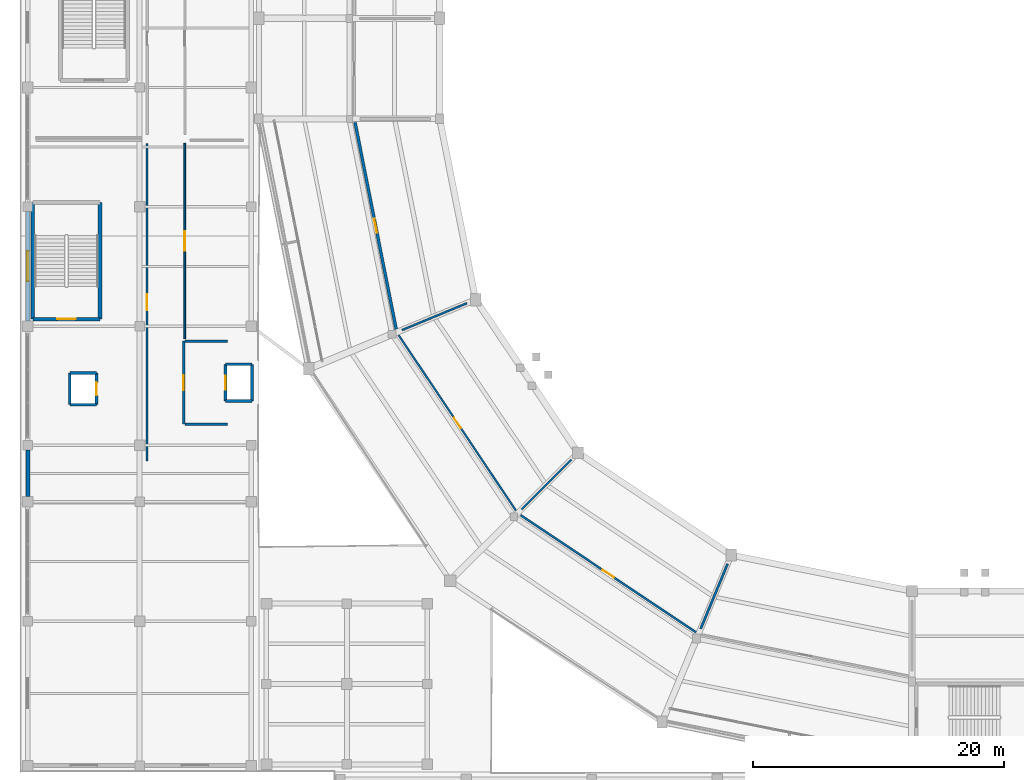
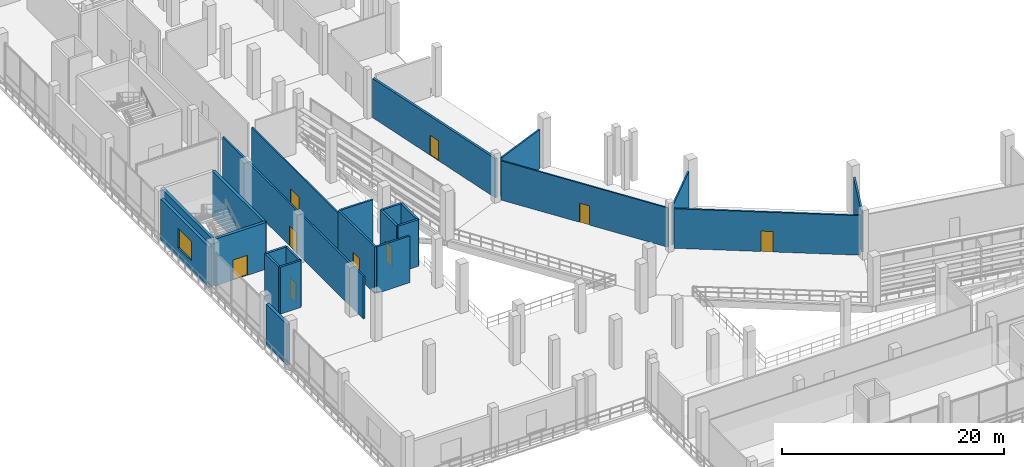
# One storey, part 71 of 114: 24 walls, 9 doors, 1 window, 10 openings.
"""IFC4 building model written with IfcOpenShell, lengths in metres."""

from ifc_helpers import new_model, si_unit, direction, frame, frame_2d, origin, place, context, subcontext, project, spatial, rectangle, extrude, material, layer, layer_set, type_object, element, fill, save


model = new_model("IFC4")

# Units and contexts
model_context = context("Model", 3, precision=1e-05, world=origin(), true_north=direction((0.0, 1.0)))
body_context = subcontext(model_context, "Body", "Model", "MODEL_VIEW")
ifc_project = project(units=[si_unit("LENGTHUNIT", "METRE"), si_unit("AREAUNIT", "SQUARE_METRE"), si_unit("VOLUMEUNIT", "CUBIC_METRE"), si_unit("PLANEANGLEUNIT", "RADIAN"), si_unit("MASSUNIT", "GRAM", prefix="KILO")], contexts=[model_context])

# Site, building, storey
site_placement = place(None, origin())
site = spatial("IfcSite", under=ifc_project, at=site_placement, CompositionType="ELEMENT")
building_placement = place(site_placement, origin())
building = spatial("IfcBuilding", under=site, at=building_placement, Name="Candeia Ridge Stadium", CompositionType="ELEMENT")
storey_placement = place(building_placement, frame((0.0, 0.0, 5.39990234375)))
storey = spatial("IfcBuildingStorey", under=building, at=storey_placement, Name="L01", CompositionType="ELEMENT", Elevation=5.39990234375)

# Wall, opening, door
ifc_material_1 = material(Name="Gypsum Metal-Stud Partition", Category="gypsum")
ifc_layer_1 = layer(ifc_material_1, 0.14501953125, Name="Gypsum Metal-Stud Partition", Category="gypsum")
ifc_layer_set_1 = layer_set([ifc_layer_1], Name="Gypsum Metal-Stud Partition")
wall_type_1 = type_object("IfcWallType", Name="Athlete Recovery Partition 145", PredefinedType="PARTITIONING", material=ifc_layer_set_1)
wall_1_placement = place(storey_placement, frame((13.10009765625, 53.489990234375, 0.0), z_axis=(0.0, 0.0, 1.0), x_axis=(0.0, 1.0, 0.0)))
wall_1 = element("IfcWall", 1, at=wall_1_placement, inside=storey, type_object=wall_type_1, Name="Interior partition PT-L01-0180", PredefinedType="PARTITIONING", context=body_context, shape_type="SweptSolid", body=[
    extrude(rectangle(XDim=15.56005859375, YDim=0.14501953125, at=frame_2d((7.780029296875, 0.0))), origin(), (0.0, 0.0, 1.0), 4.668212890625),
])
opening_1_placement = place(wall_1_placement, frame((7.0048828125, 0.0, 0.0)))
opening_1 = element("IfcOpeningElement", 2, at=opening_1_placement, cuts=wall_1, Name="Opening ID14", PredefinedType="OPENING", context=body_context, shape_type="SweptSolid", body=[
    extrude(rectangle(XDim=1.550048828125, YDim=2.14990234375, at=frame_2d((0.77490234375, 1.074951171875))), frame((0.0, 0.08251953125, 0.0), z_axis=(0.0, -1.0, 0.0), x_axis=(1.0, 0.0, 0.0)), (0.0, 0.0, 1.0), 0.1650390625),
])
ifc_material_2 = material(Name="Brushed Stainless Steel", Category="steel")
door_type_1 = type_object("IfcDoorType", Name="Catering Kitchen Double Door 1550x2150", OperationType="NOTDEFINED", PredefinedType="DOOR", material=ifc_material_2)
door_1_placement = place(opening_1_placement, origin())
door_1 = element("IfcDoor", 3, at=door_1_placement, inside=storey, type_object=door_type_1, Name="Interior room door D-L01-0094", OperationType="DOUBLE_DOOR_SINGLE_SWING", OverallHeight=2.14990234375, OverallWidth=1.550048828125, PredefinedType="DOOR", context=body_context, shape_type="SweptSolid", body=[
    extrude(rectangle(XDim=1.550048828125, YDim=2.14990234375, at=frame_2d((0.77490234375, 1.074951171875))), frame((0.0, 0.02490234375, 0.0), z_axis=(0.0, -1.0, 0.0), x_axis=(1.0, 0.0, 0.0)), (0.0, 0.0, 1.0), 0.050048828125),
])
fill(opening_1, door_1)

wall_2_placement = place(storey_placement, frame((39.465576171875, 39.8125, 0.0), z_axis=(0.0, 0.0, 1.0), x_axis=(-0.555572701103, 0.831467963177, 0.0)))
wall_2 = element("IfcWall", 4, at=wall_2_placement, inside=storey, type_object=wall_type_1, Name="Interior partition PT-L01-0300", PredefinedType="PARTITIONING", context=body_context, shape_type="SweptSolid", body=[
    extrude(rectangle(XDim=16.782958984375, YDim=0.14501953125, at=frame_2d((8.3916015625, 0.0))), origin(), (0.0, 0.0, 1.0), 4.30517578125),
])
opening_2_placement = place(wall_2_placement, frame((7.8916015625, 0.0, 0.0)))
opening_2 = element("IfcOpeningElement", 5, at=opening_2_placement, cuts=wall_2, Name="Opening ID06", PredefinedType="OPENING", context=body_context, shape_type="SweptSolid", body=[
    extrude(rectangle(XDim=1.0, YDim=2.10009765625, at=frame_2d((0.5, 1.050048828125))), frame((0.0, 0.08251953125, 0.0), z_axis=(0.0, -1.0, 0.0), x_axis=(1.0, 0.0, 0.0)), (0.0, 0.0, 1.0), 0.1650390625),
])
ifc_material_3 = material(Name="Moisture-Resistant Laminate", Category="wood")
door_type_2 = type_object("IfcDoorType", Name="Accessible Sanitary Door 1000x2100", OperationType="NOTDEFINED", PredefinedType="DOOR", material=ifc_material_3)
door_2_placement = place(opening_2_placement, origin())
door_2 = element("IfcDoor", 6, at=door_2_placement, inside=storey, type_object=door_type_2, Name="Interior room door D-L01-0155", OperationType="SINGLE_SWING_LEFT", OverallHeight=2.10009765625, OverallWidth=1.0, PredefinedType="DOOR", context=body_context, shape_type="SweptSolid", body=[
    extrude(rectangle(XDim=1.0, YDim=2.10009765625, at=frame_2d((0.5, 1.050048828125))), frame((0.0, 0.02490234375, 0.0), z_axis=(0.0, -1.0, 0.0), x_axis=(1.0, 0.0, 0.0)), (0.0, 0.0, 1.0), 0.050048828125),
])
fill(opening_2, door_2)

# Walls
wall_3_placement = place(storey_placement, frame((43.882568359375, 43.882568359375, 0.0), z_axis=(0.0, 0.0, 1.0), x_axis=(-0.707106781187, -0.707106781187, 0.0)))
element("IfcWall", 7, at=wall_3_placement, inside=storey, type_object=wall_type_1, Name="Demising partition PT-L01-0301", PredefinedType="PARTITIONING", context=body_context, shape_type="SweptSolid", body=[
    extrude(rectangle(XDim=5.600341796875, YDim=0.14501953125, at=frame_2d((2.80029296875, 0.0))), origin(), (0.0, 0.0, 1.0), 4.34521484375),
])
ifc_material_4 = material(Name="Gypsum Acoustic Twin-Stud Assembly", Category="gypsum")
ifc_layer_2 = layer(ifc_material_4, 0.159912109375, Name="Gypsum Acoustic Twin-Stud Assembly", Category="gypsum")
ifc_layer_set_2 = layer_set([ifc_layer_2], Name="Gypsum Acoustic Twin-Stud Assembly")
wall_type_2 = type_object("IfcWallType", Name="Club Dining Acoustic Partition 160", PredefinedType="PARTITIONING", material=ifc_layer_set_2)
wall_4_placement = place(storey_placement, frame((35.5693359375, 56.32421875, 0.0), z_axis=(0.0, 0.0, 1.0), x_axis=(-0.923879745429, -0.382682918336, 0.0)))
element("IfcWall", 8, at=wall_4_placement, inside=storey, type_object=wall_type_2, Name="Demising partition PT-L01-0299", PredefinedType="PARTITIONING", context=body_context, shape_type="SweptSolid", body=[
    extrude(rectangle(XDim=5.60009765625, YDim=0.159912109375, at=frame_2d((2.800048828125, 0.0))), origin(), (0.0, 0.0, 1.0), 4.30517578125),
])
ifc_material_5 = material(Name="Concrete C45/55", Category="concrete")
ifc_layer_3 = layer(ifc_material_5, 0.300048828125, Name="Concrete C45/55", Category="concrete")
ifc_layer_set_3 = layer_set([ifc_layer_3], Name="Concrete C45/55")
wall_type_3 = type_object("IfcWallType", Name="Core Shear Wall Concrete 300", PredefinedType="SHEAR", material=ifc_layer_set_3)
for number, where, z_axis, x_axis, name in (
    (9, (6.349609375, 55.05029296875, 0.0), (0.0, 0.0, 1.0), (0.0, 1.0, 0.0), "Core C05 left shear wall L01"),
    (10, (1.00048828125, 64.349609375, 0.0), (0.0, 0.0, 1.0), (0.0, -1.0, 0.0), "Core C05 right shear wall L01"),
):
    element("IfcWall", number, at=place(storey_placement, frame(where, z_axis=z_axis, x_axis=x_axis)), inside=storey, type_object=wall_type_3, Name=name, PredefinedType="SHEAR", context=body_context, shape_type="SweptSolid", body=[
        extrude(rectangle(XDim=9.29931640625, YDim=0.300048828125, at=frame_2d((4.649658203125, 0.0))), origin(), (0.0, 0.0, 1.0), 5.14013671875),
    ])

# Wall, opening, door
wall_5_placement = place(storey_placement, frame((1.00048828125, 55.05029296875, 0.0), z_axis=(0.0, 0.0, 1.0), x_axis=(1.0, 0.0, 0.0)))
wall_5 = element("IfcWall", 11, at=wall_5_placement, inside=storey, type_object=wall_type_3, Name="Core C05 near shear wall L01", PredefinedType="SHEAR", context=body_context, shape_type="SweptSolid", body=[
    extrude(rectangle(XDim=5.34912109375, YDim=0.300048828125, at=frame_2d((2.674560546875, 0.0))), origin(), (0.0, 0.0, 1.0), 5.14013671875),
])
opening_3_placement = place(wall_5_placement, frame((1.924560546875, 0.0, 0.0)))
opening_3 = element("IfcOpeningElement", 12, at=opening_3_placement, cuts=wall_5, Name="Opening FD01", PredefinedType="OPENING", context=body_context, shape_type="SweptSolid", body=[
    extrude(rectangle(XDim=1.5, YDim=2.199951171875, at=frame_2d((0.75, 1.10009765625))), frame((0.0, 0.159912109375, 0.0), z_axis=(0.0, -1.0, 0.0), x_axis=(1.0, 0.0, 0.0)), (0.0, 0.0, 1.0), 0.320068359375),
])
ifc_material_6 = material(Name="Galvanized Fire-Rated Steel", Category="steel")
door_type_3 = type_object("IfcDoorType", Name="Exit Stair Core Fire Door 1500x2200", OperationType="NOTDEFINED", PredefinedType="DOOR", material=ifc_material_6)
door_3_placement = place(opening_3_placement, origin())
door_3 = element("IfcDoor", 13, at=door_3_placement, inside=storey, type_object=door_type_3, Name="Exit stair fire door SD-ST05-L01", OperationType="DOUBLE_DOOR_SINGLE_SWING", OverallHeight=2.199951171875, OverallWidth=1.5, PredefinedType="DOOR", context=body_context, shape_type="SweptSolid", body=[
    extrude(rectangle(XDim=1.5, YDim=2.199951171875, at=frame_2d((0.75, 1.10009765625))), frame((0.0, 0.02490234375, 0.0), z_axis=(0.0, -1.0, 0.0), x_axis=(1.0, 0.0, 0.0)), (0.0, 0.0, 1.0), 0.050048828125),
])
fill(opening_3, door_3)

ifc_material_7 = material(Name="Moisture-Resistant Masonry & Tile", Category="masonry")
ifc_layer_4 = layer(ifc_material_7, 0.22998046875, Name="Moisture-Resistant Masonry & Tile", Category="masonry")
ifc_layer_set_4 = layer_set([ifc_layer_4], Name="Moisture-Resistant Masonry & Tile")
wall_type_4 = type_object("IfcWallType", Name="Dressing Suite Wet-Wall Chase 230", PredefinedType="PLUMBINGWALL", material=ifc_layer_set_4)
wall_6_placement = place(storey_placement, frame((29.930908203125, 54.254150390625, 0.0), z_axis=(0.0, 0.0, 1.0), x_axis=(-0.195086564225, 0.980786027867, 0.0)))
wall_6 = element("IfcWall", 14, at=wall_6_placement, inside=storey, type_object=wall_type_4, Name="Interior partition PT-L01-0298", PredefinedType="PLUMBINGWALL", context=body_context, shape_type="SweptSolid", body=[
    extrude(rectangle(XDim=16.783203125, YDim=0.22998046875, at=frame_2d((8.3916015625, 0.0))), origin(), (0.0, 0.0, 1.0), 4.30517578125),
])
opening_4_placement = place(wall_6_placement, frame((7.816650390625, 0.0, 0.0)))
opening_4 = element("IfcOpeningElement", 15, at=opening_4_placement, cuts=wall_6, Name="Opening ID02", PredefinedType="OPENING", context=body_context, shape_type="SweptSolid", body=[
    extrude(rectangle(XDim=1.14990234375, YDim=2.199951171875, at=frame_2d((0.574951171875, 1.10009765625))), frame((0.0, 0.125, 0.0), z_axis=(0.0, -1.0, 0.0), x_axis=(1.0, 0.0, 0.0)), (0.0, 0.0, 1.0), 0.25),
])
ifc_material_8 = material(Name="Acoustic Timber Studio Leaf", Category="wood")
door_type_4 = type_object("IfcDoorType", Name="Broadcast & Press Studio Door 1150x2200", OperationType="NOTDEFINED", PredefinedType="DOOR", material=ifc_material_8)
door_4_placement = place(opening_4_placement, frame((1.14990234375, 0.0, 0.0), z_axis=(0.0, 0.0, 1.0), x_axis=(-1.0, 0.0, 0.0)))
door_4 = element("IfcDoor", 16, at=door_4_placement, inside=storey, type_object=door_type_4, Name="Interior room door D-L01-0154", OperationType="SINGLE_SWING_RIGHT", OverallHeight=2.199951171875, OverallWidth=1.14990234375, PredefinedType="DOOR", context=body_context, shape_type="SweptSolid", body=[
    extrude(rectangle(XDim=1.14990234375, YDim=2.199951171875, at=frame_2d((0.574951171875, 1.10009765625))), frame((0.0, 0.02490234375, 0.0), z_axis=(0.0, -1.0, 0.0), x_axis=(1.0, 0.0, 0.0)), (0.0, 0.0, 1.0), 0.050048828125),
])
fill(opening_4, door_4)

# Wall
ifc_material_9 = material(Name="Concrete C35/45", Category="concrete")
ifc_layer_5 = layer(ifc_material_9, 0.320068359375, Name="Concrete C35/45", Category="concrete")
ifc_layer_set_5 = layer_set([ifc_layer_5], Name="Concrete C35/45")
wall_type_5 = type_object("IfcWallType", Name="Exterior Cedar-Clad Insulated Wall 320", PredefinedType="SOLIDWALL", material=ifc_layer_set_5)
wall_7_placement = place(storey_placement, frame((0.60009765625, 40.9130859375, 0.0), z_axis=(0.0, 0.0, 1.0), x_axis=(0.0, 1.0, 0.0)))
element("IfcWall", 17, at=wall_7_placement, inside=storey, type_object=wall_type_5, Name="Exterior facade wall EW-L01-0064", PredefinedType="SOLIDWALL", context=body_context, shape_type="SweptSolid", body=[
    extrude(rectangle(XDim=3.723876953125, YDim=0.320068359375, at=frame_2d((1.86181640625, 0.0))), origin(), (0.0, 0.0, 1.0), 4.47509765625),
])

# Wall, opening, window
wall_8_placement = place(storey_placement, frame((0.60009765625, 54.9130859375, 0.0), z_axis=(0.0, 0.0, 1.0), x_axis=(0.0, 1.0, 0.0)))
wall_8 = element("IfcWall", 18, at=wall_8_placement, inside=storey, type_object=wall_type_5, Name="Exterior facade wall EW-L01-0065", PredefinedType="SOLIDWALL", context=body_context, shape_type="SweptSolid", body=[
    extrude(rectangle(XDim=8.723876953125, YDim=0.320068359375, at=frame_2d((4.36181640625, 0.0))), origin(), (0.0, 0.0, 1.0), 4.47509765625),
])
opening_5_placement = place(wall_8_placement, frame((3.162109375, 0.0, 1.050048828125)))
opening_5 = element("IfcOpeningElement", 19, at=opening_5_placement, cuts=wall_8, Name="Opening W03", PredefinedType="OPENING", context=body_context, shape_type="SweptSolid", body=[
    extrude(rectangle(XDim=2.39990234375, YDim=2.10009765625, at=frame_2d((1.199951171875, 1.050048828125))), frame((0.0, 0.169921875, 0.0), z_axis=(0.0, -1.0, 0.0), x_axis=(1.0, 0.0, 0.0)), (0.0, 0.0, 1.0), 0.340087890625),
])
ifc_material_10 = material(Name="Tempered Solar-Control Double Glazing", Category="glass")
window_type = type_object("IfcWindowType", Name="Hospitality Ribbon Window 2400x2100", PartitioningType="SINGLE_PANEL", PredefinedType="WINDOW", material=ifc_material_10)
window_placement = place(opening_5_placement, origin())
window = element("IfcWindow", 20, at=window_placement, inside=storey, type_object=window_type, Name="Exterior window WIN-L01-020", OverallHeight=2.10009765625, OverallWidth=2.39990234375, PartitioningType="SINGLE_PANEL", PredefinedType="WINDOW", context=body_context, shape_type="SweptSolid", body=[
    extrude(rectangle(XDim=2.39990234375, YDim=2.10009765625, at=frame_2d((1.199951171875, 1.050048828125))), frame((0.0, 0.030029296875, 0.0), z_axis=(0.0, -1.0, 0.0), x_axis=(1.0, 0.0, 0.0)), (0.0, 0.0, 1.0), 0.06005859375),
])
fill(opening_5, window)

# Walls
ifc_layer_6 = layer(ifc_material_9, 0.199951171875, Name="Concrete C35/45", Category="concrete")
ifc_layer_set_6 = layer_set([ifc_layer_6], Name="Concrete C35/45")
wall_type_6 = type_object("IfcWallType", Name="Firefighting Lobby Rated Wall 200", PredefinedType="SOLIDWALL", material=ifc_layer_set_6)
for number, where, z_axis, x_axis, name in (
    (21, (13.10009765625, 46.699951171875, 0.0), (0.0, 0.0, 1.0), (1.0, 0.0, 0.0), "Firefighting lift lobby FF1 rated wall L01 south"),
    (22, (16.5, 53.300048828125, 0.0), (0.0, 0.0, 1.0), (-1.0, 0.0, 0.0), "Firefighting lift lobby FF1 rated wall L01 north"),
):
    element("IfcWall", number, at=place(storey_placement, frame(where, z_axis=z_axis, x_axis=x_axis)), inside=storey, type_object=wall_type_6, Name=name, PredefinedType="SOLIDWALL", context=body_context, shape_type="SweptSolid", body=[
        extrude(rectangle(XDim=3.39990234375, YDim=0.199951171875, at=frame_2d((1.699951171875, 0.0))), origin(), (0.0, 0.0, 1.0), 5.1201171875),
    ])

# Wall, opening, door
wall_9_placement = place(storey_placement, frame((13.0, 53.300048828125, 0.0), z_axis=(0.0, 0.0, 1.0), x_axis=(0.0, -1.0, 0.0)))
wall_9 = element("IfcWall", 23, at=wall_9_placement, inside=storey, type_object=wall_type_6, Name="Firefighting lift lobby FF1 rated wall L01 entry", PredefinedType="SOLIDWALL", context=body_context, shape_type="SweptSolid", body=[
    extrude(rectangle(XDim=6.60009765625, YDim=0.199951171875, at=frame_2d((3.300048828125, 0.0))), origin(), (0.0, 0.0, 1.0), 5.1201171875),
])
opening_6_placement = place(wall_9_placement, frame((2.699951171875, 0.0, 0.0)))
opening_6 = element("IfcOpeningElement", 24, at=opening_6_placement, cuts=wall_9, Name="Opening FD02", PredefinedType="OPENING", context=body_context, shape_type="SweptSolid", body=[
    extrude(rectangle(XDim=1.199951171875, YDim=2.199951171875, at=frame_2d((0.60009765625, 1.10009765625))), frame((0.0, 0.10986328125, 0.0), z_axis=(0.0, -1.0, 0.0), x_axis=(1.0, 0.0, 0.0)), (0.0, 0.0, 1.0), 0.219970703125),
])
door_type_5 = type_object("IfcDoorType", Name="Firefighting Lobby Fire Door 1200x2200", OperationType="NOTDEFINED", PredefinedType="DOOR", material=ifc_material_6)
door_5_placement = place(opening_6_placement, origin())
door_5 = element("IfcDoor", 25, at=door_5_placement, inside=storey, type_object=door_type_5, Name="Firefighting lobby fire door FFD-FF1-L01", OperationType="SINGLE_SWING_RIGHT", OverallHeight=2.199951171875, OverallWidth=1.199951171875, PredefinedType="DOOR", context=body_context, shape_type="SweptSolid", body=[
    extrude(rectangle(XDim=1.199951171875, YDim=2.199951171875, at=frame_2d((0.60009765625, 1.10009765625))), frame((0.0, 0.02490234375, 0.0), z_axis=(0.0, -1.0, 0.0), x_axis=(1.0, 0.0, 0.0)), (0.0, 0.0, 1.0), 0.050048828125),
])
fill(opening_6, door_5)

ifc_layer_7 = layer(ifc_material_4, 0.1650390625, Name="Gypsum Acoustic Twin-Stud Assembly", Category="gypsum")
ifc_layer_set_7 = layer_set([ifc_layer_7], Name="Gypsum Acoustic Twin-Stud Assembly")
wall_type_7 = type_object("IfcWallType", Name="Hospitality Suite Acoustic Wall 165", PredefinedType="PARTITIONING", material=ifc_layer_set_7)
wall_10_placement = place(storey_placement, frame((53.801025390625, 30.11865234375, 0.0), z_axis=(0.0, 0.0, 1.0), x_axis=(-0.831472453136, 0.555565981388, 0.0)))
wall_10 = element("IfcWall", 26, at=wall_10_placement, inside=storey, type_object=wall_type_7, Name="Interior partition PT-L01-0302", PredefinedType="PARTITIONING", context=body_context, shape_type="SweptSolid", body=[
    extrude(rectangle(XDim=16.783203125, YDim=0.1650390625, at=frame_2d((8.3916015625, 0.0))), origin(), (0.0, 0.0, 1.0), 4.34521484375),
])
opening_7_placement = place(wall_10_placement, frame((7.8515625, 0.0, 0.0)))
opening_7 = element("IfcOpeningElement", 27, at=opening_7_placement, cuts=wall_10, Name="Opening ID08", PredefinedType="OPENING", context=body_context, shape_type="SweptSolid", body=[
    extrude(rectangle(XDim=1.080078125, YDim=2.25, at=frame_2d((0.5400390625, 1.125))), frame((0.0, 0.092529296875, 0.0), z_axis=(0.0, -1.0, 0.0), x_axis=(1.0, 0.0, 0.0)), (0.0, 0.0, 1.0), 0.18505859375),
])
ifc_material_11 = material(Name="Western Red Cedar Acoustic Veneer", Category="wood")
door_type_6 = type_object("IfcDoorType", Name="Executive Skybox Entry Door 1080x2250", OperationType="NOTDEFINED", PredefinedType="DOOR", material=ifc_material_11)
door_6_placement = place(opening_7_placement, origin())
door_6 = element("IfcDoor", 28, at=door_6_placement, inside=storey, type_object=door_type_6, Name="Interior room door D-L01-0156", OperationType="SINGLE_SWING_RIGHT", OverallHeight=2.25, OverallWidth=1.080078125, PredefinedType="DOOR", context=body_context, shape_type="SweptSolid", body=[
    extrude(rectangle(XDim=1.080078125, YDim=2.25, at=frame_2d((0.5400390625, 1.125))), frame((0.0, 0.02490234375, 0.0), z_axis=(0.0, -1.0, 0.0), x_axis=(1.0, 0.0, 0.0)), (0.0, 0.0, 1.0), 0.050048828125),
])
fill(opening_7, door_6)

# Walls
ifc_material_12 = material(Name="Concrete C40/50", Category="concrete")
ifc_layer_8 = layer(ifc_material_12, 0.219970703125, Name="Concrete C40/50", Category="concrete")
ifc_layer_set_8 = layer_set([ifc_layer_8], Name="Concrete C40/50")
wall_type_8 = type_object("IfcWallType", Name="Lift & Riser Shaft Wall 220", PredefinedType="SHEAR", material=ifc_layer_set_8)
wall_11_placement = place(storey_placement, frame((16.340087890625, 48.5400390625, 0.0), z_axis=(0.0, 0.0, 1.0), x_axis=(1.0, 0.0, 0.0)))
element("IfcWall", 29, at=wall_11_placement, inside=storey, type_object=wall_type_8, Name="Lift FF1 shaft wall L01 south", PredefinedType="SHEAR", context=body_context, shape_type="SweptSolid", body=[
    extrude(rectangle(XDim=2.119873046875, YDim=0.219970703125, at=frame_2d((1.06005859375, 0.0))), origin(), (0.0, 0.0, 1.0), 5.14013671875),
])
wall_12_placement = place(storey_placement, frame((18.4599609375, 48.5400390625, 0.0), z_axis=(0.0, 0.0, 1.0), x_axis=(0.0, 1.0, 0.0)))
element("IfcWall", 30, at=wall_12_placement, inside=storey, type_object=wall_type_8, Name="Lift FF1 shaft wall L01 east", PredefinedType="SHEAR", context=body_context, shape_type="SweptSolid", body=[
    extrude(rectangle(XDim=2.919921875, YDim=0.219970703125, at=frame_2d((1.4599609375, 0.0))), origin(), (0.0, 0.0, 1.0), 5.14013671875),
])
wall_13_placement = place(storey_placement, frame((18.4599609375, 51.4599609375, 0.0), z_axis=(0.0, 0.0, 1.0), x_axis=(-1.0, 0.0, 0.0)))
element("IfcWall", 31, at=wall_13_placement, inside=storey, type_object=wall_type_8, Name="Lift FF1 shaft wall L01 north", PredefinedType="SHEAR", context=body_context, shape_type="SweptSolid", body=[
    extrude(rectangle(XDim=2.119873046875, YDim=0.219970703125, at=frame_2d((1.06005859375, 0.0))), origin(), (0.0, 0.0, 1.0), 5.14013671875),
])

# Wall, opening, door
wall_14_placement = place(storey_placement, frame((16.340087890625, 51.4599609375, 0.0), z_axis=(0.0, 0.0, 1.0), x_axis=(0.0, -1.0, 0.0)))
wall_14 = element("IfcWall", 32, at=wall_14_placement, inside=storey, type_object=wall_type_8, Name="Lift FF1 shaft wall L01 west", PredefinedType="SHEAR", context=body_context, shape_type="SweptSolid", body=[
    extrude(rectangle(XDim=2.919921875, YDim=0.219970703125, at=frame_2d((1.4599609375, 0.0))), origin(), (0.0, 0.0, 1.0), 5.14013671875),
])
opening_8_placement = place(wall_14_placement, frame((0.909912109375, 0.0, 0.0)))
opening_8 = element("IfcOpeningElement", 33, at=opening_8_placement, cuts=wall_14, Name="Opening LD01", PredefinedType="OPENING", context=body_context, shape_type="SweptSolid", body=[
    extrude(rectangle(XDim=1.10009765625, YDim=2.199951171875, at=frame_2d((0.550048828125, 1.10009765625))), frame((0.0, 0.119873046875, 0.0), z_axis=(0.0, -1.0, 0.0), x_axis=(1.0, 0.0, 0.0)), (0.0, 0.0, 1.0), 0.239990234375),
])
door_type_7 = type_object("IfcDoorType", Name="Firefighting Lift Landing Door 1100x2200", OperationType="NOTDEFINED", PredefinedType="DOOR", material=ifc_material_2)
door_7_placement = place(opening_8_placement, origin())
door_7 = element("IfcDoor", 34, at=door_7_placement, inside=storey, type_object=door_type_7, Name="Lift landing sliding door LD-FF1-L01", OperationType="DOUBLE_DOOR_SLIDING", OverallHeight=2.199951171875, OverallWidth=1.10009765625, PredefinedType="DOOR", context=body_context, shape_type="SweptSolid", body=[
    extrude(rectangle(XDim=1.10009765625, YDim=2.199951171875, at=frame_2d((0.550048828125, 1.10009765625))), frame((0.0, 0.02490234375, 0.0), z_axis=(0.0, -1.0, 0.0), x_axis=(1.0, 0.0, 0.0)), (0.0, 0.0, 1.0), 0.050048828125),
])
fill(opening_8, door_7)

# Wall
wall_15_placement = place(storey_placement, frame((3.93994140625, 48.239990234375, 0.0), z_axis=(0.0, 0.0, 1.0), x_axis=(1.0, 0.0, 0.0)))
element("IfcWall", 35, at=wall_15_placement, inside=storey, type_object=wall_type_8, Name="Lift VL1 shaft wall L01 south", PredefinedType="SHEAR", context=body_context, shape_type="SweptSolid", body=[
    extrude(rectangle(XDim=2.1201171875, YDim=0.219970703125, at=frame_2d((1.06005859375, 0.0))), origin(), (0.0, 0.0, 1.0), 5.14013671875),
])

# Wall, opening, door
wall_16_placement = place(storey_placement, frame((6.06005859375, 48.239990234375, 0.0), z_axis=(0.0, 0.0, 1.0), x_axis=(0.0, 1.0, 0.0)))
wall_16 = element("IfcWall", 36, at=wall_16_placement, inside=storey, type_object=wall_type_8, Name="Lift VL1 shaft wall L01 east", PredefinedType="SHEAR", context=body_context, shape_type="SweptSolid", body=[
    extrude(rectangle(XDim=2.52001953125, YDim=0.219970703125, at=frame_2d((1.260009765625, 0.0))), origin(), (0.0, 0.0, 1.0), 5.14013671875),
])
opening_9_placement = place(wall_16_placement, frame((0.735107421875, 0.0, 0.0)))
opening_9 = element("IfcOpeningElement", 37, at=opening_9_placement, cuts=wall_16, Name="Opening LD02", PredefinedType="OPENING", context=body_context, shape_type="SweptSolid", body=[
    extrude(rectangle(XDim=1.050048828125, YDim=2.14990234375, at=frame_2d((0.52490234375, 1.074951171875))), frame((0.0, 0.119873046875, 0.0), z_axis=(0.0, -1.0, 0.0), x_axis=(1.0, 0.0, 0.0)), (0.0, 0.0, 1.0), 0.239990234375),
])
door_type_8 = type_object("IfcDoorType", Name="Passenger Lift Landing Door 1050x2150", OperationType="NOTDEFINED", PredefinedType="DOOR", material=ifc_material_2)
door_8_placement = place(opening_9_placement, origin())
door_8 = element("IfcDoor", 38, at=door_8_placement, inside=storey, type_object=door_type_8, Name="Lift landing sliding door LD-VL1-L01", OperationType="DOUBLE_DOOR_SLIDING", OverallHeight=2.14990234375, OverallWidth=1.050048828125, PredefinedType="DOOR", context=body_context, shape_type="SweptSolid", body=[
    extrude(rectangle(XDim=1.050048828125, YDim=2.14990234375, at=frame_2d((0.52490234375, 1.074951171875))), frame((0.0, 0.02490234375, 0.0), z_axis=(0.0, -1.0, 0.0), x_axis=(1.0, 0.0, 0.0)), (0.0, 0.0, 1.0), 0.050048828125),
])
fill(opening_9, door_8)

# Walls
wall_17_placement = place(storey_placement, frame((6.06005859375, 50.760009765625, 0.0), z_axis=(0.0, 0.0, 1.0), x_axis=(-1.0, 0.0, 0.0)))
element("IfcWall", 39, at=wall_17_placement, inside=storey, type_object=wall_type_8, Name="Lift VL1 shaft wall L01 north", PredefinedType="SHEAR", context=body_context, shape_type="SweptSolid", body=[
    extrude(rectangle(XDim=2.1201171875, YDim=0.219970703125, at=frame_2d((1.06005859375, 0.0))), origin(), (0.0, 0.0, 1.0), 5.14013671875),
])
wall_18_placement = place(storey_placement, frame((3.93994140625, 50.760009765625, 0.0), z_axis=(0.0, 0.0, 1.0), x_axis=(0.0, -1.0, 0.0)))
element("IfcWall", 40, at=wall_18_placement, inside=storey, type_object=wall_type_8, Name="Lift VL1 shaft wall L01 west", PredefinedType="SHEAR", context=body_context, shape_type="SweptSolid", body=[
    extrude(rectangle(XDim=2.52001953125, YDim=0.219970703125, at=frame_2d((1.260009765625, 0.0))), origin(), (0.0, 0.0, 1.0), 5.14013671875),
])
ifc_material_13 = material(Name="Gypsum Acoustic Triple-Board Wall", Category="gypsum")
ifc_layer_9 = layer(ifc_material_13, 0.18505859375, Name="Gypsum Acoustic Triple-Board Wall", Category="gypsum")
ifc_layer_set_9 = layer_set([ifc_layer_9], Name="Gypsum Acoustic Triple-Board Wall")
wall_type_9 = type_object("IfcWallType", Name="Media Booth Studio Divider 185", PredefinedType="PARTITIONING", material=ifc_layer_set_9)
wall_19_placement = place(storey_placement, frame((56.32421875, 35.5693359375, 0.0), z_axis=(0.0, 0.0, 1.0), x_axis=(-0.382682918336, -0.923879745429, 0.0)))
element("IfcWall", 41, at=wall_19_placement, inside=storey, type_object=wall_type_9, Name="Demising partition PT-L01-0303", PredefinedType="PARTITIONING", context=body_context, shape_type="SweptSolid", body=[
    extrude(rectangle(XDim=5.60009765625, YDim=0.18505859375, at=frame_2d((2.800048828125, 0.0))), origin(), (0.0, 0.0, 1.0), 4.375),
])

# Wall, opening, door
ifc_layer_10 = layer(ifc_material_4, 0.175048828125, Name="Gypsum Acoustic Twin-Stud Assembly", Category="gypsum")
ifc_layer_set_10 = layer_set([ifc_layer_10], Name="Gypsum Acoustic Twin-Stud Assembly")
wall_type_10 = type_object("IfcWallType", Name="Museum Acoustic Gallery Wall 175", PredefinedType="PARTITIONING", material=ifc_layer_set_10)
wall_20_placement = place(storey_placement, frame((10.10009765625, 69.050048828125, 0.0), z_axis=(0.0, 0.0, 1.0), x_axis=(0.0, -1.0, 0.0)))
wall_20 = element("IfcWall", 42, at=wall_20_placement, inside=storey, type_object=wall_type_10, Name="Interior partition PT-L01-0178", PredefinedType="PARTITIONING", context=body_context, shape_type="SweptSolid", body=[
    extrude(rectangle(XDim=25.300048828125, YDim=0.175048828125, at=frame_2d((12.64990234375, 0.0))), origin(), (0.0, 0.0, 1.0), 4.668212890625),
])
opening_10_placement = place(wall_20_placement, frame((12.02490234375, 0.0, 0.0)))
opening_10 = element("IfcOpeningElement", 43, at=opening_10_placement, cuts=wall_20, Name="Opening ID11", PredefinedType="OPENING", context=body_context, shape_type="SweptSolid", body=[
    extrude(rectangle(XDim=1.25, YDim=2.199951171875, at=frame_2d((0.625, 1.10009765625))), frame((0.0, 0.097412109375, 0.0), z_axis=(0.0, -1.0, 0.0), x_axis=(1.0, 0.0, 0.0)), (0.0, 0.0, 1.0), 0.195068359375),
])
door_type_9 = type_object("IfcDoorType", Name="Press Tribune Acoustic Door 1250x2200", OperationType="NOTDEFINED", PredefinedType="DOOR", material=ifc_material_8)
door_9_placement = place(opening_10_placement, frame((1.25, 0.0, 0.0), z_axis=(0.0, 0.0, 1.0), x_axis=(-1.0, 0.0, 0.0)))
door_9 = element("IfcDoor", 44, at=door_9_placement, inside=storey, type_object=door_type_9, Name="Interior room door D-L01-0093", OperationType="SINGLE_SWING_RIGHT", OverallHeight=2.199951171875, OverallWidth=1.25, PredefinedType="DOOR", context=body_context, shape_type="SweptSolid", body=[
    extrude(rectangle(XDim=1.25, YDim=2.199951171875, at=frame_2d((0.625, 1.10009765625))), frame((0.0, 0.02490234375, 0.0), z_axis=(0.0, -1.0, 0.0), x_axis=(1.0, 0.0, 0.0)), (0.0, 0.0, 1.0), 0.050048828125),
])
fill(opening_10, door_9)

save(model, "model.ifc")
